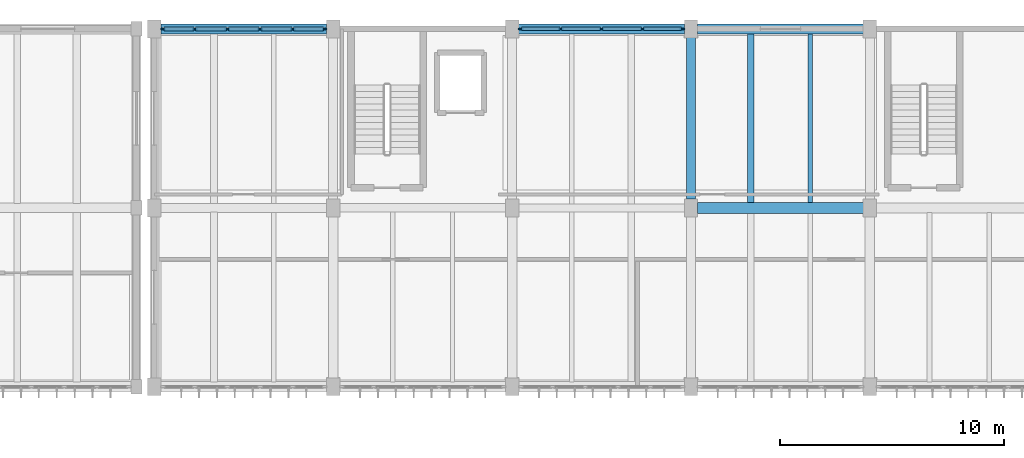
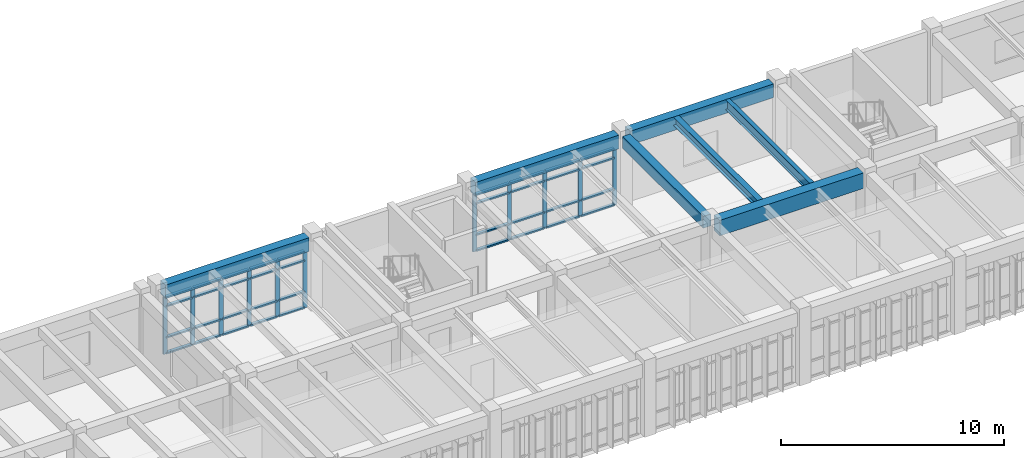
# One storey, part 25 of 67: 47 members, 7 beams, 2 elements without a shape of their own.
"""IFC4 building model written with IfcOpenShell, lengths in metres."""

import ifcopenshell
import ifcopenshell.guid

model = None  # the IFC model being written
_history = None  # IfcOwnerHistory: only IFC2X3 demands one
_inside = {}  # id of a spatial element -> (the spatial element, [elements in it])
_under = {}  # id of a project, library or spatial element -> (it, [spatial elements below it])
_declared = {}  # id of a project -> (the project, [libraries it declares])
_typed = {}  # id of a type object -> (the type object, [elements of that type])
_made_of = {}  # id of a material, layer set ... -> (it, [elements and type objects made of it])


def new_model(schema):
    """Start an empty IFC model of exactly this schema.

    Asked for "IFC4X3", IfcOpenShell would pick the latest addendum, in which some entities
    have other attributes; the version numbers below select the first issue.
    IFC2X3 requires an IfcOwnerHistory on every rooted entity: one is made here for all.
    """
    global model, _history
    if schema == "IFC4X3":
        model = ifcopenshell.file(schema_version=(4, 3, 0, 0))
    else:
        model = ifcopenshell.file(schema=schema)
    _inside.clear()
    _under.clear()
    _declared.clear()
    _typed.clear()
    _made_of.clear()
    _history = None
    if model.schema == "IFC2X3":
        org = make("IfcOrganization", Name="unknown")
        user = make(
            "IfcPersonAndOrganization",
            ThePerson=make("IfcPerson", FamilyName="unknown"),
            TheOrganization=org,
        )
        app = make(
            "IfcApplication",
            ApplicationDeveloper=org,
            Version="unknown",
            ApplicationFullName="unknown",
            ApplicationIdentifier="unknown",
        )
        _history = make(
            "IfcOwnerHistory",
            OwningUser=user,
            OwningApplication=app,
            ChangeAction="ADDED",
            CreationDate=0,
        )
    return model


def make(cls, **values):
    """One entity of the class cls with the attributes given. An attribute that is None is left unset."""
    return model.create_entity(
        cls, **{name: value for name, value in values.items() if value is not None}
    )


def rooted(cls, **values):
    """An entity with a GlobalId (a new one), such as an element, a storey or a relation."""
    return make(cls, GlobalId=ifcopenshell.guid.new(), OwnerHistory=_history, **values)


def si_unit(unit_type, name, prefix=None):
    """IfcSIUnit, for example si_unit("LENGTHUNIT", "METRE", prefix="MILLI")."""
    return make("IfcSIUnit", UnitType=unit_type, Prefix=prefix, Name=name)


def assignment(units):
    """IfcUnitAssignment: the units of a project."""
    return None if units is None else make("IfcUnitAssignment", Units=units)


def point(xyz):
    """IfcCartesianPoint."""
    return None if xyz is None else make("IfcCartesianPoint", Coordinates=xyz)


def direction(xyz):
    """IfcDirection."""
    return None if xyz is None else make("IfcDirection", DirectionRatios=xyz)


def frame(location, z_axis=None, x_axis=None):
    """IfcAxis2Placement3D, a coordinate frame: its origin and axes. An axis left out is left unset."""
    return make(
        "IfcAxis2Placement3D",
        Location=point(location),
        Axis=direction(z_axis),
        RefDirection=direction(x_axis),
    )


def frame_2d(location, x_axis=None):
    """IfcAxis2Placement2D, a coordinate frame in the plane: its origin and x axis."""
    return make(
        "IfcAxis2Placement2D", Location=point(location), RefDirection=direction(x_axis)
    )


def origin():
    """The frame at (0, 0, 0) with its axes left unset."""
    return frame((0.0, 0.0, 0.0))


def origin_2d():
    """The frame at (0, 0) in the plane with its x axis left unset."""
    return frame_2d((0.0, 0.0))


def place(relative_to, where):
    """IfcLocalPlacement: puts the frame where relative to a parent placement (None: the world)."""
    return make(
        "IfcLocalPlacement", PlacementRelTo=relative_to, RelativePlacement=where
    )


def context(
    kind, dimensions, precision=None, world=None, true_north=None, identifier=None
):
    """IfcGeometricRepresentationContext, for example the 3D "Model" context."""
    return make(
        "IfcGeometricRepresentationContext",
        ContextIdentifier=identifier,
        ContextType=kind,
        CoordinateSpaceDimension=dimensions,
        Precision=precision,
        WorldCoordinateSystem=world,
        TrueNorth=true_north,
    )


def subcontext(parent, identifier, kind, view, scale=None):
    """IfcGeometricRepresentationSubContext, for example "Body" below "Model"."""
    return make(
        "IfcGeometricRepresentationSubContext",
        ContextIdentifier=identifier,
        ContextType=kind,
        ParentContext=parent,
        TargetScale=scale,
        TargetView=view,
    )


def project(units=None, contexts=None):
    """IfcProject with its units and contexts."""
    return rooted(
        "IfcProject",
        Name="project",
        RepresentationContexts=contexts,
        UnitsInContext=assignment(units),
    )


def spatial(cls, under=None, at=None, **own):
    """A site, building, storey or space (cls), placed at a placement, below another one or the project."""
    s = rooted(cls, ObjectPlacement=at, **own)
    if under is not None:
        _under.setdefault(under.id(), (under, []))[1].append(s)
    return s


def profile(cls, at=None, kind="AREA", **sizes):
    """A parametric profile (cls). Its sizes go by their IFC names, for example OverallWidth=200.0."""
    return make(cls, ProfileType=kind, Position=at, **sizes)


def rectangle(**sizes):
    """IfcRectangleProfileDef."""
    return profile("IfcRectangleProfileDef", **sizes)


def i_section(**sizes):
    """IfcIShapeProfileDef."""
    return profile("IfcIShapeProfileDef", **sizes)


def extrude(swept, where, along, depth):
    """IfcExtrudedAreaSolid: the profile swept, set in the frame where, extruded along a direction by depth."""
    return make(
        "IfcExtrudedAreaSolid",
        SweptArea=swept,
        Position=where,
        ExtrudedDirection=direction(along),
        Depth=depth,
    )


def shape(context_of_items, identifier, shape_type, items):
    """IfcShapeRepresentation: the items that make up one representation, for example the "Body"."""
    return make(
        "IfcShapeRepresentation",
        ContextOfItems=context_of_items,
        RepresentationIdentifier=identifier,
        RepresentationType=shape_type,
        Items=items,
    )


def material(Name=None, Category=None):
    """IfcMaterial."""
    return make("IfcMaterial", Name=Name, Category=Category)


def material_profile(
    of_material, cross_section, Name=None, Category=None, Priority=None
):
    """IfcMaterialProfile: a cross section and its material."""
    return make(
        "IfcMaterialProfile",
        Name=Name,
        Material=of_material,
        Profile=cross_section,
        Priority=Priority,
        Category=Category,
    )


def profile_set(profiles, Name=None, composite=None):
    """IfcMaterialProfileSet."""
    return make(
        "IfcMaterialProfileSet",
        Name=Name,
        MaterialProfiles=profiles,
        CompositeProfile=composite,
    )


def made_of(thing, what):
    """Note that an element or type object is made of a material, layer set ...; save() writes the relation."""
    if what is not None:
        _made_of.setdefault(what.id(), (what, []))[1].append(thing)
    return thing


def type_object(cls, material=None, **own):
    """A type object (cls), such as IfcWallType, which elements share."""
    return made_of(rooted(cls, **own), material)


def element(
    cls,
    number,
    at=None,
    inside=None,
    cuts=None,
    type_object=None,
    material=None,
    context=None,
    identifier="Body",
    shape_type=None,
    held_by="IfcProductDefinitionShape",
    body=None,
    shapes=None,
    **own,
):
    """One element of the class cls, such as IfcWall. Its Tag is "e" and its number.

    at: its placement. inside: the storey or other place that contains it. cuts: it is an
    opening in that element (IfcRelVoidsElement). A single representation is given by context,
    identifier, shape_type and body (its items); several are given by shapes. held_by: the class
    of the entity that holds the representations. save() writes the other relations.
    """
    e = rooted(cls, Tag="e%d" % number, ObjectPlacement=at, **own)
    if body is not None:
        shapes = [shape(context, identifier, shape_type, body)]
    if shapes is not None:
        e.Representation = make(held_by, Representations=shapes)
    if inside is not None:
        _inside.setdefault(inside.id(), (inside, []))[1].append(e)
    if cuts is not None:
        rooted(
            "IfcRelVoidsElement", RelatingBuildingElement=cuts, RelatedOpeningElement=e
        )
    if type_object is not None:
        _typed.setdefault(type_object.id(), (type_object, []))[1].append(e)
    return made_of(e, material)


def aggregate(whole, parts):
    """IfcRelAggregates: a whole, such as a stair, and the parts it consists of."""
    return rooted("IfcRelAggregates", RelatingObject=whole, RelatedObjects=parts)


def save(model, path):
    """Write the relations noted so far, then the file.

    IfcRelAggregates (storeys below a building ...), IfcRelContainedInSpatialStructure (elements
    in a storey), IfcRelDefinesByType, IfcRelAssociatesMaterial and IfcRelDeclares: one each for
    every whole, place, type object, material and project.
    """
    for whole, parts in _under.values():
        aggregate(whole, parts)
    for where, things in _inside.values():
        rooted(
            "IfcRelContainedInSpatialStructure",
            RelatedElements=things,
            RelatingStructure=where,
        )
    for kind, things in _typed.values():
        rooted("IfcRelDefinesByType", RelatedObjects=things, RelatingType=kind)
    for what, things in _made_of.values():
        rooted("IfcRelAssociatesMaterial", RelatedObjects=things, RelatingMaterial=what)
    for by, libraries in _declared.values():
        rooted("IfcRelDeclares", RelatingContext=by, RelatedDefinitions=libraries)
    model.write(path)


model = new_model("IFC4")

# Units and contexts
model_context = context("Model", 3, precision=1e-05, world=origin(), true_north=direction((0.0, 1.0)))
body_context = subcontext(model_context, "Body", "Model", "MODEL_VIEW")
ifc_project = project(units=[si_unit("LENGTHUNIT", "METRE"), si_unit("AREAUNIT", "SQUARE_METRE"), si_unit("VOLUMEUNIT", "CUBIC_METRE"), si_unit("PLANEANGLEUNIT", "RADIAN"), si_unit("MASSUNIT", "GRAM", prefix="KILO")], contexts=[model_context])

# Site, building, storey
site_placement = place(None, origin())
site = spatial("IfcSite", under=ifc_project, at=site_placement, CompositionType="ELEMENT")
building_placement = place(site_placement, origin())
building = spatial("IfcBuilding", under=site, at=building_placement, Name="Tlaxcora Railside Police Headquarters", CompositionType="ELEMENT")
storey_placement = place(building_placement, frame((0.0, 0.0, 4.800048828125)))
storey = spatial("IfcBuildingStorey", under=building, at=storey_placement, Name="L01", CompositionType="ELEMENT", Elevation=4.800048828125)

# Curtain wall, members
ifc_material_1 = material(Name="Thermally broken low-E insulated glazing", Category="glass")
curtain_wall_type_1 = type_object("IfcCurtainWallType", Name="Unitised Curtain Wall Assembly CW-23", PredefinedType="NOTDEFINED", material=ifc_material_1)
curtain_wall_1_placement = place(storey_placement, origin())
curtain_wall_1 = element("IfcCurtainWall", 1, at=curtain_wall_1_placement, inside=storey, type_object=curtain_wall_type_1, Name="V6 L01 curtain wall 152", PredefinedType="NOTDEFINED")
ifc_material_2 = material(Name="Anodised aluminium framing", Category="aluminium")
ifc_material_profile_1 = material_profile(ifc_material_2, rectangle(XDim=0.080078125, YDim=0.219970703125, at=origin_2d()), Name="AL80X220")
ifc_profile_set_1 = profile_set([ifc_material_profile_1], Name="Anodised aluminium framing")
member_type_1 = type_object("IfcMemberType", Name="Curtain Wall Mullion CW-31", PredefinedType="MULLION", material=ifc_profile_set_1)
member_1_placement = place(storey_placement, frame((110.409912109375, 92.800048828125, 0.0), z_axis=(0.0, 0.0, 1.0), x_axis=(0.0, -1.0, 0.0)))
member_1 = element("IfcMember", 2, at=member_1_placement, type_object=member_type_1, Name="CW mullion 1", PredefinedType="MULLION", context=body_context, shape_type="SweptSolid", body=[
    extrude(rectangle(XDim=0.080078125, YDim=0.219970703125, at=origin_2d()), origin(), (0.0, 0.0, 1.0), 3.139892578125),
])
member_2_placement = place(storey_placement, frame((108.989990234375, 92.800048828125, 0.0), z_axis=(0.0, 0.0, 1.0), x_axis=(0.0, -1.0, 0.0)))
member_2 = element("IfcMember", 3, at=member_2_placement, type_object=member_type_1, Name="CW mullion 2", PredefinedType="MULLION", context=body_context, shape_type="SweptSolid", body=[
    extrude(rectangle(XDim=0.080078125, YDim=0.219970703125, at=origin_2d()), origin(), (0.0, 0.0, 1.0), 3.139892578125),
])
member_3_placement = place(storey_placement, frame((107.530029296875, 92.800048828125, 0.0), z_axis=(0.0, 0.0, 1.0), x_axis=(0.0, -1.0, 0.0)))
member_3 = element("IfcMember", 4, at=member_3_placement, type_object=member_type_1, Name="CW mullion 3", PredefinedType="MULLION", context=body_context, shape_type="SweptSolid", body=[
    extrude(rectangle(XDim=0.080078125, YDim=0.219970703125, at=origin_2d()), origin(), (0.0, 0.0, 1.0), 3.139892578125),
])
member_4_placement = place(storey_placement, frame((106.070068359375, 92.800048828125, 0.0), z_axis=(0.0, 0.0, 1.0), x_axis=(0.0, -1.0, 0.0)))
member_4 = element("IfcMember", 5, at=member_4_placement, type_object=member_type_1, Name="CW mullion 4", PredefinedType="MULLION", context=body_context, shape_type="SweptSolid", body=[
    extrude(rectangle(XDim=0.080078125, YDim=0.219970703125, at=origin_2d()), origin(), (0.0, 0.0, 1.0), 3.139892578125),
])
member_5_placement = place(storey_placement, frame((104.610107421875, 92.800048828125, 0.0), z_axis=(0.0, 0.0, 1.0), x_axis=(0.0, -1.0, 0.0)))
member_5 = element("IfcMember", 6, at=member_5_placement, type_object=member_type_1, Name="CW mullion 5", PredefinedType="MULLION", context=body_context, shape_type="SweptSolid", body=[
    extrude(rectangle(XDim=0.080078125, YDim=0.219970703125, at=origin_2d()), origin(), (0.0, 0.0, 1.0), 3.139892578125),
])
member_6_placement = place(storey_placement, frame((103.18994140625, 92.800048828125, 0.0), z_axis=(0.0, 0.0, 1.0), x_axis=(0.0, -1.0, 0.0)))
member_6 = element("IfcMember", 7, at=member_6_placement, type_object=member_type_1, Name="CW mullion 6", PredefinedType="MULLION", context=body_context, shape_type="SweptSolid", body=[
    extrude(rectangle(XDim=0.080078125, YDim=0.219970703125, at=origin_2d()), origin(), (0.0, 0.0, 1.0), 3.139892578125),
])

curtain_wall_type_2 = type_object("IfcCurtainWallType", Name="Unitised Curtain Wall Assembly CW-83", PredefinedType="NOTDEFINED", material=ifc_material_1)
curtain_wall_2_placement = place(storey_placement, origin())
curtain_wall_2 = element("IfcCurtainWall", 8, at=curtain_wall_2_placement, inside=storey, type_object=curtain_wall_type_2, Name="V6 L01 curtain wall 151", PredefinedType="NOTDEFINED")
ifc_material_profile_2 = material_profile(ifc_material_2, rectangle(XDim=0.080078125, YDim=0.2099609375, at=origin_2d()), Name="AL80X210")
ifc_profile_set_2 = profile_set([ifc_material_profile_2], Name="Anodised aluminium framing")
member_type_2 = type_object("IfcMemberType", Name="Curtain Wall Mullion CW-76", PredefinedType="MULLION", material=ifc_profile_set_2)
member_7_placement = place(storey_placement, frame((126.409912109375, 92.800048828125, 0.0), z_axis=(0.0, 0.0, 1.0), x_axis=(0.0, -1.0, 0.0)))
member_7 = element("IfcMember", 9, at=member_7_placement, type_object=member_type_2, Name="CW mullion 1", PredefinedType="MULLION", context=body_context, shape_type="SweptSolid", body=[
    extrude(rectangle(XDim=0.080078125, YDim=0.2099609375, at=origin_2d()), origin(), (0.0, 0.0, 1.0), 3.139892578125),
])
member_8_placement = place(storey_placement, frame((124.625, 92.800048828125, 0.0), z_axis=(0.0, 0.0, 1.0), x_axis=(0.0, -1.0, 0.0)))
member_8 = element("IfcMember", 10, at=member_8_placement, type_object=member_type_2, Name="CW mullion 2", PredefinedType="MULLION", context=body_context, shape_type="SweptSolid", body=[
    extrude(rectangle(XDim=0.080078125, YDim=0.2099609375, at=origin_2d()), origin(), (0.0, 0.0, 1.0), 3.139892578125),
])
member_9_placement = place(storey_placement, frame((122.800048828125, 92.800048828125, 0.0), z_axis=(0.0, 0.0, 1.0), x_axis=(0.0, -1.0, 0.0)))
member_9 = element("IfcMember", 11, at=member_9_placement, type_object=member_type_2, Name="CW mullion 3", PredefinedType="MULLION", context=body_context, shape_type="SweptSolid", body=[
    extrude(rectangle(XDim=0.080078125, YDim=0.2099609375, at=origin_2d()), origin(), (0.0, 0.0, 1.0), 3.139892578125),
])
member_10_placement = place(storey_placement, frame((120.97509765625, 92.800048828125, 0.0), z_axis=(0.0, 0.0, 1.0), x_axis=(0.0, -1.0, 0.0)))
member_10 = element("IfcMember", 12, at=member_10_placement, type_object=member_type_2, Name="CW mullion 4", PredefinedType="MULLION", context=body_context, shape_type="SweptSolid", body=[
    extrude(rectangle(XDim=0.080078125, YDim=0.2099609375, at=origin_2d()), origin(), (0.0, 0.0, 1.0), 3.139892578125),
])
member_11_placement = place(storey_placement, frame((119.18994140625, 92.800048828125, 0.0), z_axis=(0.0, 0.0, 1.0), x_axis=(0.0, -1.0, 0.0)))
member_11 = element("IfcMember", 13, at=member_11_placement, type_object=member_type_2, Name="CW mullion 5", PredefinedType="MULLION", context=body_context, shape_type="SweptSolid", body=[
    extrude(rectangle(XDim=0.080078125, YDim=0.2099609375, at=origin_2d()), origin(), (0.0, 0.0, 1.0), 3.139892578125),
])

# Member
ifc_material_profile_3 = material_profile(ifc_material_2, rectangle(XDim=0.1650390625, YDim=0.080078125, at=origin_2d()), Name="AL80X165")
ifc_profile_set_3 = profile_set([ifc_material_profile_3], Name="Anodised aluminium framing")
member_type_3 = type_object("IfcMemberType", Name="Curtain Wall Transom CW-62", PredefinedType="USERDEFINED", material=ifc_profile_set_3)
member_12_placement = place(storey_placement, frame((110.3701171875, 92.800048828125, 0.0400390625), z_axis=(-1.0, 0.0, 0.0), x_axis=(0.0, -1.0, 0.0)))
member_12 = element("IfcMember", 14, at=member_12_placement, type_object=member_type_3, Name="CW transom 1.1", ObjectType="TRANSOM", PredefinedType="USERDEFINED", context=body_context, shape_type="SweptSolid", body=[
    extrude(rectangle(XDim=0.1650390625, YDim=0.080078125, at=origin_2d()), origin(), (0.0, 0.0, 1.0), 1.340087890625),
])

member_13_placement = place(storey_placement, frame((110.3701171875, 92.800048828125, 0.89990234375), z_axis=(-1.0, 0.0, 0.0), x_axis=(0.0, -1.0, 0.0)))
member_13 = element("IfcMember", 15, at=member_13_placement, type_object=member_type_3, Name="CW transom 1.2", ObjectType="TRANSOM", PredefinedType="USERDEFINED", context=body_context, shape_type="SweptSolid", body=[
    extrude(rectangle(XDim=0.1650390625, YDim=0.080078125, at=origin_2d()), origin(), (0.0, 0.0, 1.0), 1.340087890625),
])

member_14_placement = place(storey_placement, frame((110.3701171875, 92.800048828125, 2.60986328125), z_axis=(-1.0, 0.0, 0.0), x_axis=(0.0, -1.0, 0.0)))
member_14 = element("IfcMember", 16, at=member_14_placement, type_object=member_type_3, Name="CW transom 1.3", ObjectType="TRANSOM", PredefinedType="USERDEFINED", context=body_context, shape_type="SweptSolid", body=[
    extrude(rectangle(XDim=0.1650390625, YDim=0.080078125, at=origin_2d()), origin(), (0.0, 0.0, 1.0), 1.340087890625),
])

member_15_placement = place(storey_placement, frame((110.3701171875, 92.800048828125, 3.099853515625), z_axis=(-1.0, 0.0, 0.0), x_axis=(0.0, -1.0, 0.0)))
member_15 = element("IfcMember", 17, at=member_15_placement, type_object=member_type_3, Name="CW transom 1.4", ObjectType="TRANSOM", PredefinedType="USERDEFINED", context=body_context, shape_type="SweptSolid", body=[
    extrude(rectangle(XDim=0.1650390625, YDim=0.080078125, at=origin_2d()), origin(), (0.0, 0.0, 1.0), 1.340087890625),
])

member_16_placement = place(storey_placement, frame((108.949951171875, 92.800048828125, 0.0400390625), z_axis=(-1.0, 0.0, 0.0), x_axis=(0.0, -1.0, 0.0)))
member_16 = element("IfcMember", 18, at=member_16_placement, type_object=member_type_3, Name="CW transom 2.1", ObjectType="TRANSOM", PredefinedType="USERDEFINED", context=body_context, shape_type="SweptSolid", body=[
    extrude(rectangle(XDim=0.1650390625, YDim=0.080078125, at=origin_2d()), origin(), (0.0, 0.0, 1.0), 1.3798828125),
])

member_17_placement = place(storey_placement, frame((108.949951171875, 92.800048828125, 0.89990234375), z_axis=(-1.0, 0.0, 0.0), x_axis=(0.0, -1.0, 0.0)))
member_17 = element("IfcMember", 19, at=member_17_placement, type_object=member_type_3, Name="CW transom 2.2", ObjectType="TRANSOM", PredefinedType="USERDEFINED", context=body_context, shape_type="SweptSolid", body=[
    extrude(rectangle(XDim=0.1650390625, YDim=0.080078125, at=origin_2d()), origin(), (0.0, 0.0, 1.0), 1.3798828125),
])

member_18_placement = place(storey_placement, frame((108.949951171875, 92.800048828125, 2.60986328125), z_axis=(-1.0, 0.0, 0.0), x_axis=(0.0, -1.0, 0.0)))
member_18 = element("IfcMember", 20, at=member_18_placement, type_object=member_type_3, Name="CW transom 2.3", ObjectType="TRANSOM", PredefinedType="USERDEFINED", context=body_context, shape_type="SweptSolid", body=[
    extrude(rectangle(XDim=0.1650390625, YDim=0.080078125, at=origin_2d()), origin(), (0.0, 0.0, 1.0), 1.3798828125),
])

member_19_placement = place(storey_placement, frame((108.949951171875, 92.800048828125, 3.099853515625), z_axis=(-1.0, 0.0, 0.0), x_axis=(0.0, -1.0, 0.0)))
member_19 = element("IfcMember", 21, at=member_19_placement, type_object=member_type_3, Name="CW transom 2.4", ObjectType="TRANSOM", PredefinedType="USERDEFINED", context=body_context, shape_type="SweptSolid", body=[
    extrude(rectangle(XDim=0.1650390625, YDim=0.080078125, at=origin_2d()), origin(), (0.0, 0.0, 1.0), 1.3798828125),
])

member_20_placement = place(storey_placement, frame((107.489990234375, 92.800048828125, 0.0400390625), z_axis=(-1.0, 0.0, 0.0), x_axis=(0.0, -1.0, 0.0)))
member_20 = element("IfcMember", 22, at=member_20_placement, type_object=member_type_3, Name="CW transom 3.1", ObjectType="TRANSOM", PredefinedType="USERDEFINED", context=body_context, shape_type="SweptSolid", body=[
    extrude(rectangle(XDim=0.1650390625, YDim=0.080078125, at=origin_2d()), origin(), (0.0, 0.0, 1.0), 1.3798828125),
])

member_21_placement = place(storey_placement, frame((107.489990234375, 92.800048828125, 0.89990234375), z_axis=(-1.0, 0.0, 0.0), x_axis=(0.0, -1.0, 0.0)))
member_21 = element("IfcMember", 23, at=member_21_placement, type_object=member_type_3, Name="CW transom 3.2", ObjectType="TRANSOM", PredefinedType="USERDEFINED", context=body_context, shape_type="SweptSolid", body=[
    extrude(rectangle(XDim=0.1650390625, YDim=0.080078125, at=origin_2d()), origin(), (0.0, 0.0, 1.0), 1.3798828125),
])

member_22_placement = place(storey_placement, frame((107.489990234375, 92.800048828125, 2.60986328125), z_axis=(-1.0, 0.0, 0.0), x_axis=(0.0, -1.0, 0.0)))
member_22 = element("IfcMember", 24, at=member_22_placement, type_object=member_type_3, Name="CW transom 3.3", ObjectType="TRANSOM", PredefinedType="USERDEFINED", context=body_context, shape_type="SweptSolid", body=[
    extrude(rectangle(XDim=0.1650390625, YDim=0.080078125, at=origin_2d()), origin(), (0.0, 0.0, 1.0), 1.3798828125),
])

member_23_placement = place(storey_placement, frame((107.489990234375, 92.800048828125, 3.099853515625), z_axis=(-1.0, 0.0, 0.0), x_axis=(0.0, -1.0, 0.0)))
member_23 = element("IfcMember", 25, at=member_23_placement, type_object=member_type_3, Name="CW transom 3.4", ObjectType="TRANSOM", PredefinedType="USERDEFINED", context=body_context, shape_type="SweptSolid", body=[
    extrude(rectangle(XDim=0.1650390625, YDim=0.080078125, at=origin_2d()), origin(), (0.0, 0.0, 1.0), 1.3798828125),
])

member_24_placement = place(storey_placement, frame((106.030029296875, 92.800048828125, 0.0400390625), z_axis=(-1.0, 0.0, 0.0), x_axis=(0.0, -1.0, 0.0)))
member_24 = element("IfcMember", 26, at=member_24_placement, type_object=member_type_3, Name="CW transom 4.1", ObjectType="TRANSOM", PredefinedType="USERDEFINED", context=body_context, shape_type="SweptSolid", body=[
    extrude(rectangle(XDim=0.1650390625, YDim=0.080078125, at=origin_2d()), origin(), (0.0, 0.0, 1.0), 1.380126953125),
])

member_25_placement = place(storey_placement, frame((106.030029296875, 92.800048828125, 0.89990234375), z_axis=(-1.0, 0.0, 0.0), x_axis=(0.0, -1.0, 0.0)))
member_25 = element("IfcMember", 27, at=member_25_placement, type_object=member_type_3, Name="CW transom 4.2", ObjectType="TRANSOM", PredefinedType="USERDEFINED", context=body_context, shape_type="SweptSolid", body=[
    extrude(rectangle(XDim=0.1650390625, YDim=0.080078125, at=origin_2d()), origin(), (0.0, 0.0, 1.0), 1.380126953125),
])

member_26_placement = place(storey_placement, frame((106.030029296875, 92.800048828125, 2.60986328125), z_axis=(-1.0, 0.0, 0.0), x_axis=(0.0, -1.0, 0.0)))
member_26 = element("IfcMember", 28, at=member_26_placement, type_object=member_type_3, Name="CW transom 4.3", ObjectType="TRANSOM", PredefinedType="USERDEFINED", context=body_context, shape_type="SweptSolid", body=[
    extrude(rectangle(XDim=0.1650390625, YDim=0.080078125, at=origin_2d()), origin(), (0.0, 0.0, 1.0), 1.380126953125),
])

member_27_placement = place(storey_placement, frame((106.030029296875, 92.800048828125, 3.099853515625), z_axis=(-1.0, 0.0, 0.0), x_axis=(0.0, -1.0, 0.0)))
member_27 = element("IfcMember", 29, at=member_27_placement, type_object=member_type_3, Name="CW transom 4.4", ObjectType="TRANSOM", PredefinedType="USERDEFINED", context=body_context, shape_type="SweptSolid", body=[
    extrude(rectangle(XDim=0.1650390625, YDim=0.080078125, at=origin_2d()), origin(), (0.0, 0.0, 1.0), 1.380126953125),
])

member_28_placement = place(storey_placement, frame((104.570068359375, 92.800048828125, 0.0400390625), z_axis=(-1.0, 0.0, 0.0), x_axis=(0.0, -1.0, 0.0)))
member_28 = element("IfcMember", 30, at=member_28_placement, type_object=member_type_3, Name="CW transom 5.1", ObjectType="TRANSOM", PredefinedType="USERDEFINED", context=body_context, shape_type="SweptSolid", body=[
    extrude(rectangle(XDim=0.1650390625, YDim=0.080078125, at=origin_2d()), origin(), (0.0, 0.0, 1.0), 1.340087890625),
])

member_29_placement = place(storey_placement, frame((104.570068359375, 92.800048828125, 0.89990234375), z_axis=(-1.0, 0.0, 0.0), x_axis=(0.0, -1.0, 0.0)))
member_29 = element("IfcMember", 31, at=member_29_placement, type_object=member_type_3, Name="CW transom 5.2", ObjectType="TRANSOM", PredefinedType="USERDEFINED", context=body_context, shape_type="SweptSolid", body=[
    extrude(rectangle(XDim=0.1650390625, YDim=0.080078125, at=origin_2d()), origin(), (0.0, 0.0, 1.0), 1.340087890625),
])

member_30_placement = place(storey_placement, frame((104.570068359375, 92.800048828125, 2.60986328125), z_axis=(-1.0, 0.0, 0.0), x_axis=(0.0, -1.0, 0.0)))
member_30 = element("IfcMember", 32, at=member_30_placement, type_object=member_type_3, Name="CW transom 5.3", ObjectType="TRANSOM", PredefinedType="USERDEFINED", context=body_context, shape_type="SweptSolid", body=[
    extrude(rectangle(XDim=0.1650390625, YDim=0.080078125, at=origin_2d()), origin(), (0.0, 0.0, 1.0), 1.340087890625),
])

member_31_placement = place(storey_placement, frame((104.570068359375, 92.800048828125, 3.099853515625), z_axis=(-1.0, 0.0, 0.0), x_axis=(0.0, -1.0, 0.0)))
member_31 = element("IfcMember", 33, at=member_31_placement, type_object=member_type_3, Name="CW transom 5.4", ObjectType="TRANSOM", PredefinedType="USERDEFINED", context=body_context, shape_type="SweptSolid", body=[
    extrude(rectangle(XDim=0.1650390625, YDim=0.080078125, at=origin_2d()), origin(), (0.0, 0.0, 1.0), 1.340087890625),
])

aggregate(curtain_wall_1, [member_1, member_2, member_3, member_4, member_5, member_6, member_12, member_13, member_14, member_15, member_16, member_17, member_18, member_19, member_20, member_21, member_22, member_23, member_24, member_25, member_26, member_27, member_28, member_29, member_30, member_31])

ifc_material_profile_4 = material_profile(ifc_material_2, rectangle(XDim=0.159912109375, YDim=0.080078125, at=origin_2d()), Name="AL80X160")
ifc_profile_set_4 = profile_set([ifc_material_profile_4], Name="Anodised aluminium framing")
member_type_4 = type_object("IfcMemberType", Name="Curtain Wall Transom CW-82", PredefinedType="USERDEFINED", material=ifc_profile_set_4)
member_32_placement = place(storey_placement, frame((126.3701171875, 92.800048828125, 0.0400390625), z_axis=(-1.0, 0.0, 0.0), x_axis=(0.0, -1.0, 0.0)))
member_32 = element("IfcMember", 34, at=member_32_placement, type_object=member_type_4, Name="CW transom 1.1", ObjectType="TRANSOM", PredefinedType="USERDEFINED", context=body_context, shape_type="SweptSolid", body=[
    extrude(rectangle(XDim=0.159912109375, YDim=0.080078125, at=origin_2d()), origin(), (0.0, 0.0, 1.0), 1.705078125),
])

member_33_placement = place(storey_placement, frame((126.3701171875, 92.800048828125, 0.89990234375), z_axis=(-1.0, 0.0, 0.0), x_axis=(0.0, -1.0, 0.0)))
member_33 = element("IfcMember", 35, at=member_33_placement, type_object=member_type_4, Name="CW transom 1.2", ObjectType="TRANSOM", PredefinedType="USERDEFINED", context=body_context, shape_type="SweptSolid", body=[
    extrude(rectangle(XDim=0.159912109375, YDim=0.080078125, at=origin_2d()), origin(), (0.0, 0.0, 1.0), 1.705078125),
])

member_34_placement = place(storey_placement, frame((126.3701171875, 92.800048828125, 2.60986328125), z_axis=(-1.0, 0.0, 0.0), x_axis=(0.0, -1.0, 0.0)))
member_34 = element("IfcMember", 36, at=member_34_placement, type_object=member_type_4, Name="CW transom 1.3", ObjectType="TRANSOM", PredefinedType="USERDEFINED", context=body_context, shape_type="SweptSolid", body=[
    extrude(rectangle(XDim=0.159912109375, YDim=0.080078125, at=origin_2d()), origin(), (0.0, 0.0, 1.0), 1.705078125),
])

member_35_placement = place(storey_placement, frame((126.3701171875, 92.800048828125, 3.099853515625), z_axis=(-1.0, 0.0, 0.0), x_axis=(0.0, -1.0, 0.0)))
member_35 = element("IfcMember", 37, at=member_35_placement, type_object=member_type_4, Name="CW transom 1.4", ObjectType="TRANSOM", PredefinedType="USERDEFINED", context=body_context, shape_type="SweptSolid", body=[
    extrude(rectangle(XDim=0.159912109375, YDim=0.080078125, at=origin_2d()), origin(), (0.0, 0.0, 1.0), 1.705078125),
])

member_36_placement = place(storey_placement, frame((124.5849609375, 92.800048828125, 0.0400390625), z_axis=(-1.0, 0.0, 0.0), x_axis=(0.0, -1.0, 0.0)))
member_36 = element("IfcMember", 38, at=member_36_placement, type_object=member_type_4, Name="CW transom 2.1", ObjectType="TRANSOM", PredefinedType="USERDEFINED", context=body_context, shape_type="SweptSolid", body=[
    extrude(rectangle(XDim=0.159912109375, YDim=0.080078125, at=origin_2d()), origin(), (0.0, 0.0, 1.0), 1.744873046875),
])

member_37_placement = place(storey_placement, frame((124.5849609375, 92.800048828125, 0.89990234375), z_axis=(-1.0, 0.0, 0.0), x_axis=(0.0, -1.0, 0.0)))
member_37 = element("IfcMember", 39, at=member_37_placement, type_object=member_type_4, Name="CW transom 2.2", ObjectType="TRANSOM", PredefinedType="USERDEFINED", context=body_context, shape_type="SweptSolid", body=[
    extrude(rectangle(XDim=0.159912109375, YDim=0.080078125, at=origin_2d()), origin(), (0.0, 0.0, 1.0), 1.744873046875),
])

member_38_placement = place(storey_placement, frame((124.5849609375, 92.800048828125, 2.60986328125), z_axis=(-1.0, 0.0, 0.0), x_axis=(0.0, -1.0, 0.0)))
member_38 = element("IfcMember", 40, at=member_38_placement, type_object=member_type_4, Name="CW transom 2.3", ObjectType="TRANSOM", PredefinedType="USERDEFINED", context=body_context, shape_type="SweptSolid", body=[
    extrude(rectangle(XDim=0.159912109375, YDim=0.080078125, at=origin_2d()), origin(), (0.0, 0.0, 1.0), 1.744873046875),
])

member_39_placement = place(storey_placement, frame((124.5849609375, 92.800048828125, 3.099853515625), z_axis=(-1.0, 0.0, 0.0), x_axis=(0.0, -1.0, 0.0)))
member_39 = element("IfcMember", 41, at=member_39_placement, type_object=member_type_4, Name="CW transom 2.4", ObjectType="TRANSOM", PredefinedType="USERDEFINED", context=body_context, shape_type="SweptSolid", body=[
    extrude(rectangle(XDim=0.159912109375, YDim=0.080078125, at=origin_2d()), origin(), (0.0, 0.0, 1.0), 1.744873046875),
])

member_40_placement = place(storey_placement, frame((122.760009765625, 92.800048828125, 0.0400390625), z_axis=(-1.0, 0.0, 0.0), x_axis=(0.0, -1.0, 0.0)))
member_40 = element("IfcMember", 42, at=member_40_placement, type_object=member_type_4, Name="CW transom 3.1", ObjectType="TRANSOM", PredefinedType="USERDEFINED", context=body_context, shape_type="SweptSolid", body=[
    extrude(rectangle(XDim=0.159912109375, YDim=0.080078125, at=origin_2d()), origin(), (0.0, 0.0, 1.0), 1.7451171875),
])

member_41_placement = place(storey_placement, frame((122.760009765625, 92.800048828125, 0.89990234375), z_axis=(-1.0, 0.0, 0.0), x_axis=(0.0, -1.0, 0.0)))
member_41 = element("IfcMember", 43, at=member_41_placement, type_object=member_type_4, Name="CW transom 3.2", ObjectType="TRANSOM", PredefinedType="USERDEFINED", context=body_context, shape_type="SweptSolid", body=[
    extrude(rectangle(XDim=0.159912109375, YDim=0.080078125, at=origin_2d()), origin(), (0.0, 0.0, 1.0), 1.7451171875),
])

member_42_placement = place(storey_placement, frame((122.760009765625, 92.800048828125, 2.60986328125), z_axis=(-1.0, 0.0, 0.0), x_axis=(0.0, -1.0, 0.0)))
member_42 = element("IfcMember", 44, at=member_42_placement, type_object=member_type_4, Name="CW transom 3.3", ObjectType="TRANSOM", PredefinedType="USERDEFINED", context=body_context, shape_type="SweptSolid", body=[
    extrude(rectangle(XDim=0.159912109375, YDim=0.080078125, at=origin_2d()), origin(), (0.0, 0.0, 1.0), 1.7451171875),
])

member_43_placement = place(storey_placement, frame((122.760009765625, 92.800048828125, 3.099853515625), z_axis=(-1.0, 0.0, 0.0), x_axis=(0.0, -1.0, 0.0)))
member_43 = element("IfcMember", 45, at=member_43_placement, type_object=member_type_4, Name="CW transom 3.4", ObjectType="TRANSOM", PredefinedType="USERDEFINED", context=body_context, shape_type="SweptSolid", body=[
    extrude(rectangle(XDim=0.159912109375, YDim=0.080078125, at=origin_2d()), origin(), (0.0, 0.0, 1.0), 1.7451171875),
])

member_44_placement = place(storey_placement, frame((120.93505859375, 92.800048828125, 0.0400390625), z_axis=(-1.0, 0.0, 0.0), x_axis=(0.0, -1.0, 0.0)))
member_44 = element("IfcMember", 46, at=member_44_placement, type_object=member_type_4, Name="CW transom 4.1", ObjectType="TRANSOM", PredefinedType="USERDEFINED", context=body_context, shape_type="SweptSolid", body=[
    extrude(rectangle(XDim=0.159912109375, YDim=0.080078125, at=origin_2d()), origin(), (0.0, 0.0, 1.0), 1.705078125),
])

member_45_placement = place(storey_placement, frame((120.93505859375, 92.800048828125, 0.89990234375), z_axis=(-1.0, 0.0, 0.0), x_axis=(0.0, -1.0, 0.0)))
member_45 = element("IfcMember", 47, at=member_45_placement, type_object=member_type_4, Name="CW transom 4.2", ObjectType="TRANSOM", PredefinedType="USERDEFINED", context=body_context, shape_type="SweptSolid", body=[
    extrude(rectangle(XDim=0.159912109375, YDim=0.080078125, at=origin_2d()), origin(), (0.0, 0.0, 1.0), 1.705078125),
])

member_46_placement = place(storey_placement, frame((120.93505859375, 92.800048828125, 2.60986328125), z_axis=(-1.0, 0.0, 0.0), x_axis=(0.0, -1.0, 0.0)))
member_46 = element("IfcMember", 48, at=member_46_placement, type_object=member_type_4, Name="CW transom 4.3", ObjectType="TRANSOM", PredefinedType="USERDEFINED", context=body_context, shape_type="SweptSolid", body=[
    extrude(rectangle(XDim=0.159912109375, YDim=0.080078125, at=origin_2d()), origin(), (0.0, 0.0, 1.0), 1.705078125),
])

member_47_placement = place(storey_placement, frame((120.93505859375, 92.800048828125, 3.099853515625), z_axis=(-1.0, 0.0, 0.0), x_axis=(0.0, -1.0, 0.0)))
member_47 = element("IfcMember", 49, at=member_47_placement, type_object=member_type_4, Name="CW transom 4.4", ObjectType="TRANSOM", PredefinedType="USERDEFINED", context=body_context, shape_type="SweptSolid", body=[
    extrude(rectangle(XDim=0.159912109375, YDim=0.080078125, at=origin_2d()), origin(), (0.0, 0.0, 1.0), 1.705078125),
])

aggregate(curtain_wall_2, [member_7, member_8, member_9, member_10, member_11, member_32, member_33, member_34, member_35, member_36, member_37, member_38, member_39, member_40, member_41, member_42, member_43, member_44, member_45, member_46, member_47])

# Beams
ifc_material_3 = material(Name="Concrete C40/50", Category="concrete")
ifc_material_profile_5 = material_profile(ifc_material_3, rectangle(XDim=0.449951171875, YDim=0.75, at=origin_2d()), Name="RC450X750")
ifc_profile_set_5 = profile_set([ifc_material_profile_5], Name="Concrete C40/50")
beam_type_1 = type_object("IfcBeamType", Name="Perimeter Spandrel Beam BM-86", PredefinedType="SPANDREL", material=ifc_profile_set_5)
for number, where, z_axis, x_axis, name in (
    (50, (103.090087890625, 92.800048828125, 3.534912109375), (1.0, 0.0, 0.0), (0.0, 1.0, 0.0), "V6 L01 X-girder Y=92.8"),
    (51, (119.090087890625, 92.800048828125, 3.534912109375), (1.0, 0.0, 0.0), (0.0, 1.0, 0.0), "V6 L01 X-girder Y=92.8"),
    (52, (127.090087890625, 92.800048828125, 3.534912109375), (1.0, 0.0, 0.0), (0.0, 1.0, 0.0), "V6 L01 X-girder Y=92.8"),
):
    element("IfcBeam", number, at=place(storey_placement, frame(where, z_axis=z_axis, x_axis=x_axis)), inside=storey, type_object=beam_type_1, Name=name, PredefinedType="SPANDREL", context=body_context, shape_type="SweptSolid", body=[
        extrude(rectangle(XDim=0.449951171875, YDim=0.75, at=origin_2d()), origin(), (0.0, 0.0, 1.0), 7.419921875),
    ])
ifc_material_profile_6 = material_profile(ifc_material_3, rectangle(XDim=0.39990234375, YDim=0.64990234375, at=origin_2d()), Name="RC400X650")
ifc_profile_set_6 = profile_set([ifc_material_profile_6], Name="Concrete C40/50")
beam_type_2 = type_object("IfcBeamType", Name="Primary Frame Girder BM-41", PredefinedType="BEAM", material=ifc_profile_set_6)
beam_1_placement = place(storey_placement, frame((126.800048828125, 85.18994140625, 3.5849609375), z_axis=(0.0, 1.0, 0.0), x_axis=(-1.0, 0.0, 0.0)))
element("IfcBeam", 53, at=beam_1_placement, inside=storey, type_object=beam_type_2, Name="V6 L01 Y-girder X=126.8", PredefinedType="BEAM", context=body_context, shape_type="SweptSolid", body=[
    extrude(rectangle(XDim=0.39990234375, YDim=0.64990234375, at=origin_2d()), origin(), (0.0, 0.0, 1.0), 7.219970703125),
])
ifc_material_profile_7 = material_profile(ifc_material_3, rectangle(XDim=0.5, YDim=0.85009765625, at=origin_2d()), Name="RC500X850")
ifc_profile_set_7 = profile_set([ifc_material_profile_7], Name="Concrete C40/50")
beam_type_3 = type_object("IfcBeamType", Name="Primary Frame Girder BM-64", PredefinedType="BEAM", material=ifc_profile_set_7)
beam_2_placement = place(storey_placement, frame((127.090087890625, 84.800048828125, 3.48486328125), z_axis=(1.0, 0.0, 0.0), x_axis=(0.0, 1.0, 0.0)))
element("IfcBeam", 54, at=beam_2_placement, inside=storey, type_object=beam_type_3, Name="V6 L01 X-girder Y=84.8", PredefinedType="BEAM", context=body_context, shape_type="SweptSolid", body=[
    extrude(rectangle(XDim=0.5, YDim=0.85009765625, at=origin_2d()), origin(), (0.0, 0.0, 1.0), 7.419921875),
])
ifc_material_4 = material(Name="Steel ASTM A992 Grade 50", Category="steel")
ifc_material_profile_8 = material_profile(ifc_material_4, i_section(OverallWidth=0.280029296875, OverallDepth=0.4619140625, WebThickness=0.0107421875, FlangeThickness=0.017333984375, at=origin_2d()), Name="W18X76")
ifc_profile_set_8 = profile_set([ifc_material_profile_8], Name="Steel ASTM A992 Grade 50")
beam_type_4 = type_object("IfcBeamType", Name="Secondary Floor Joist BM-44", PredefinedType="JOIST", material=ifc_profile_set_8)
beam_3_placement = place(storey_placement, frame((129.466796875, 85.0419921875, 3.678955078125), z_axis=(0.0, 1.0, 0.0), x_axis=(-1.0, 0.0, 0.0)))
element("IfcBeam", 55, at=beam_3_placement, inside=storey, type_object=beam_type_4, Name="V6 L01 floor joist X=129.47", PredefinedType="JOIST", context=body_context, shape_type="SweptSolid", body=[
    extrude(i_section(OverallWidth=0.280029296875, OverallDepth=0.4619140625, WebThickness=0.0107421875, FlangeThickness=0.017333984375, at=origin_2d()), origin(), (0.0, 0.0, 1.0), 7.541015625),
])
ifc_material_profile_9 = material_profile(ifc_material_4, i_section(OverallWidth=0.214111328125, OverallDepth=0.549072265625, WebThickness=0.0146484375, FlangeThickness=0.023681640625, at=origin_2d()), Name="W21X93")
ifc_profile_set_9 = profile_set([ifc_material_profile_9], Name="Steel ASTM A992 Grade 50")
beam_type_5 = type_object("IfcBeamType", Name="Secondary Floor Joist BM-97", PredefinedType="JOIST", material=ifc_profile_set_9)
beam_4_placement = place(storey_placement, frame((132.13330078125, 85.0419921875, 3.635498046875), z_axis=(0.0, 1.0, 0.0), x_axis=(-1.0, 0.0, 0.0)))
element("IfcBeam", 56, at=beam_4_placement, inside=storey, type_object=beam_type_5, Name="V6 L01 floor joist X=132.13", PredefinedType="JOIST", context=body_context, shape_type="SweptSolid", body=[
    extrude(i_section(OverallWidth=0.214111328125, OverallDepth=0.549072265625, WebThickness=0.0146484375, FlangeThickness=0.023681640625, at=origin_2d()), origin(), (0.0, 0.0, 1.0), 7.541015625),
])

save(model, "model.ifc")
